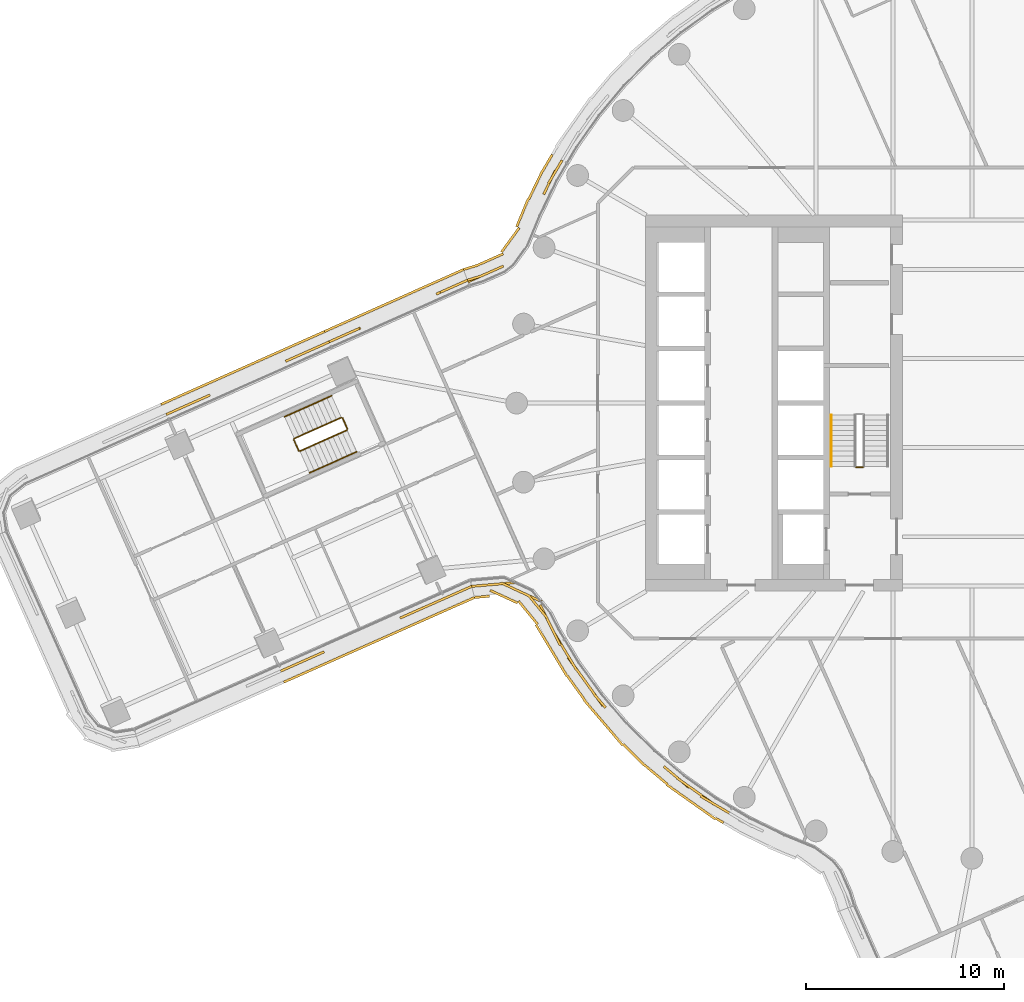
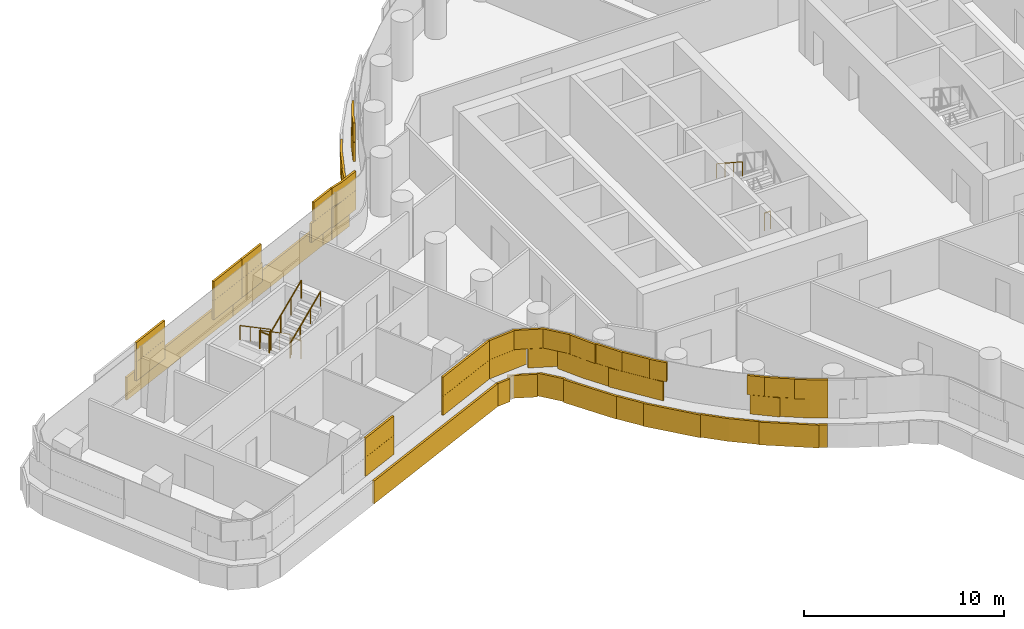
# One storey, part 30 of 35: 8 railings, 5 coverings.
"""IFC4 building model written with IfcOpenShell, lengths in metres."""

from ifc_helpers import new_model, si_unit, direction, frame, origin, origin_2d, place, context, subcontext, project, spatial, rectangle, circle, extrude, material, layer, layer_set, type_object, element, save


model = new_model("IFC4")

# Units and contexts
model_context = context("Model", 3, precision=1e-05, world=origin(), true_north=direction((0.0, 1.0)))
body_context = subcontext(model_context, "Body", "Model", "MODEL_VIEW")
ifc_project = project(units=[si_unit("LENGTHUNIT", "METRE"), si_unit("AREAUNIT", "SQUARE_METRE"), si_unit("VOLUMEUNIT", "CUBIC_METRE"), si_unit("PLANEANGLEUNIT", "RADIAN"), si_unit("MASSUNIT", "GRAM", prefix="KILO")], contexts=[model_context])

# Site, building, storey
site_placement = place(None, origin())
site = spatial("IfcSite", under=ifc_project, at=site_placement, CompositionType="ELEMENT")
building_placement = place(site_placement, origin())
building = spatial("IfcBuilding", under=site, at=building_placement, Name="Tamarind Cross Interchange Tower", CompositionType="ELEMENT")
storey_placement = place(building_placement, frame((0.0, 0.0, 121.0)))
storey = spatial("IfcBuildingStorey", under=building, at=storey_placement, Name="L29", CompositionType="ELEMENT", Elevation=121.0)

# Railings
ifc_material_1 = material(Name="Stair guard")
railing_type_1 = type_object("IfcRailingType", Name="Stair guard", PredefinedType="GUARDRAIL", material=ifc_material_1)
railing_1_placement = place(storey_placement, frame((-5.5, -3.25, 0.0)))
element("IfcRailing", 1, at=railing_1_placement, inside=storey, type_object=railing_type_1, Name="L29 ST1 stair guard 4", PredefinedType="GUARDRAIL", context=body_context, shape_type="SweptSolid", body=[
    extrude(circle(Radius=0.02392578125, at=origin_2d()), frame((0.0, 0.0, 1.076171875), z_axis=(-1.0, 0.0, 0.0), x_axis=(0.0, -1.0, 0.0)), (0.0, 0.0, 1.0), 0.35009765625),
    extrude(circle(Radius=0.02099609375, at=origin_2d()), origin(), (0.0, 0.0, 1.0), 1.052001953125),
    extrude(circle(Radius=0.02099609375, at=origin_2d()), frame((-0.35009765625, 0.0, 0.0)), (0.0, 0.0, 1.0), 1.052001953125),
])
railing_2_placement = place(storey_placement, frame((-31.858154296875, -0.7275390625, 0.17041015625)))
element("IfcRailing", 2, at=railing_2_placement, inside=storey, type_object=railing_type_1, Name="L29 ST5 stair guard 1", PredefinedType="GUARDRAIL", context=body_context, shape_type="SweptSolid", body=[
    extrude(circle(Radius=0.02392578125, at=origin_2d()), frame((0.0, 0.0, 1.076171875), z_axis=(-0.763818924751, -0.340565711591, 0.548266036045), x_axis=(0.407227178264, -0.913326899463, 0.0)), (0.0, 0.0, 1.0), 3.109130859375),
    extrude(circle(Radius=0.02099609375, at=origin_2d()), origin(), (0.0, 0.0, 1.0), 1.052001953125),
    extrude(circle(Radius=0.02099609375, at=origin_2d()), frame((-0.79150390625, -0.35302734375, 0.568115234375)), (0.0, 0.0, 1.0), 1.052001953125),
    extrude(circle(Radius=0.02099609375, at=origin_2d()), frame((-1.583251953125, -0.705810546875, 1.136474609375)), (0.0, 0.0, 1.0), 1.052001953125),
    extrude(circle(Radius=0.02099609375, at=origin_2d()), frame((-2.374755859375, -1.058837890625, 1.70458984375)), (0.0, 0.0, 1.0), 1.052001953125),
])
railing_3_placement = place(storey_placement, frame((-34.258056640625, -1.852294921875, 1.875)))
element("IfcRailing", 3, at=railing_3_placement, inside=storey, type_object=railing_type_1, Name="L29 ST5 stair guard 2", PredefinedType="GUARDRAIL", context=body_context, shape_type="SweptSolid", body=[
    extrude(circle(Radius=0.02392578125, at=origin_2d()), frame((0.0, 0.0, 1.076171875), z_axis=(0.407232830193, -0.913324379404, 0.0), x_axis=(0.913324379404, 0.407232830193, 0.0)), (0.0, 0.0, 1.0), 0.60009765625),
    extrude(circle(Radius=0.02099609375, at=origin_2d()), origin(), (0.0, 0.0, 1.0), 1.052001953125),
    extrude(circle(Radius=0.02099609375, at=origin_2d()), frame((0.244384765625, -0.548095703125, 0.0)), (0.0, 0.0, 1.0), 1.052001953125),
])
railing_4_placement = place(storey_placement, frame((-33.94775390625, -2.425537109375, 2.04541015625)))
element("IfcRailing", 4, at=railing_4_placement, inside=storey, type_object=railing_type_1, Name="L29 ST5 stair guard 3", PredefinedType="GUARDRAIL", context=body_context, shape_type="SweptSolid", body=[
    extrude(circle(Radius=0.02392578125, at=origin_2d()), frame((0.0, 0.0, 1.076171875), z_axis=(0.763839350133, 0.340496290961, 0.548280697299), x_axis=(-0.407148848875, 0.913361820343, 0.0)), (0.0, 0.0, 1.0), 3.10888671875),
    extrude(circle(Radius=0.02099609375, at=origin_2d()), origin(), (0.0, 0.0, 1.0), 1.052001953125),
    extrude(circle(Radius=0.02099609375, at=origin_2d()), frame((0.79150390625, 0.352783203125, 0.568115234375)), (0.0, 0.0, 1.0), 1.052001953125),
    extrude(circle(Radius=0.02099609375, at=origin_2d()), frame((1.583251953125, 0.705810546875, 1.136474609375)), (0.0, 0.0, 1.0), 1.052001953125),
    extrude(circle(Radius=0.02099609375, at=origin_2d()), frame((2.374755859375, 1.05859375, 1.70458984375)), (0.0, 0.0, 1.0), 1.052001953125),
])
railing_5_placement = place(storey_placement, frame((-31.792236328125, -0.7529296875, 0.0)))
element("IfcRailing", 5, at=railing_5_placement, inside=storey, type_object=railing_type_1, Name="L29 ST5 stair guard 4", PredefinedType="GUARDRAIL", context=body_context, shape_type="SweptSolid", body=[
    extrude(circle(Radius=0.02392578125, at=origin_2d()), frame((0.0, 0.0, 1.076171875), z_axis=(0.407384193945, -0.913256874337, 0.0), x_axis=(0.913256874337, 0.407384193945, 0.0)), (0.0, 0.0, 1.0), 0.599853515625),
    extrude(circle(Radius=0.02099609375, at=origin_2d()), origin(), (0.0, 0.0, 1.0), 1.052001953125),
    extrude(circle(Radius=0.02099609375, at=origin_2d()), frame((0.244384765625, -0.5478515625, 0.0)), (0.0, 0.0, 1.0), 1.052001953125),
])
ifc_material_2 = material(Name="Stair handrail")
railing_type_2 = type_object("IfcRailingType", Name="Stair handrail", PredefinedType="HANDRAIL", material=ifc_material_2)
railing_6_placement = place(storey_placement, frame((-7.10009765625, -0.60009765625, 2.04541015625)))
element("IfcRailing", 6, at=railing_6_placement, inside=storey, type_object=railing_type_2, Name="L29 ST1 stair handrail 2", PredefinedType="HANDRAIL", context=body_context, shape_type="SweptSolid", body=[
    extrude(circle(Radius=0.02392578125, at=origin_2d()), frame((0.0, 0.0, 0.8759765625), z_axis=(0.0, -0.836278606002, 0.548304744775), x_axis=(1.0, 0.0, 0.0)), (0.0, 0.0, 1.0), 3.10888671875),
    extrude(circle(Radius=0.02099609375, at=origin_2d()), origin(), (0.0, 0.0, 1.0), 0.851806640625),
    extrude(circle(Radius=0.02099609375, at=origin_2d()), frame((0.0, -0.86669921875, 0.568115234375)), (0.0, 0.0, 1.0), 0.851806640625),
    extrude(circle(Radius=0.02099609375, at=origin_2d()), frame((0.0, -1.733154296875, 1.136474609375)), (0.0, 0.0, 1.0), 0.851806640625),
    extrude(circle(Radius=0.02099609375, at=origin_2d()), frame((0.0, -2.599853515625, 1.70458984375)), (0.0, 0.0, 1.0), 0.851806640625),
])
railing_7_placement = place(storey_placement, frame((-32.346923828125, 0.368408203125, 0.17041015625)))
element("IfcRailing", 7, at=railing_7_placement, inside=storey, type_object=railing_type_2, Name="L29 ST5 stair handrail 1", PredefinedType="HANDRAIL", context=body_context, shape_type="SweptSolid", body=[
    extrude(circle(Radius=0.02392578125, at=origin_2d()), frame((0.0, 0.0, 0.8759765625), z_axis=(-0.763806636502, -0.340516715594, 0.548313585858), x_axis=(0.407183770428, -0.913346252579, 0.0)), (0.0, 0.0, 1.0), 3.10888671875),
    extrude(circle(Radius=0.02099609375, at=origin_2d()), origin(), (0.0, 0.0, 1.0), 0.851806640625),
    extrude(circle(Radius=0.02099609375, at=origin_2d()), frame((-0.79150390625, -0.352783203125, 0.568115234375)), (0.0, 0.0, 1.0), 0.851806640625),
    extrude(circle(Radius=0.02099609375, at=origin_2d()), frame((-1.5830078125, -0.705810546875, 1.136474609375)), (0.0, 0.0, 1.0), 0.851806640625),
    extrude(circle(Radius=0.02099609375, at=origin_2d()), frame((-2.37451171875, -1.05859375, 1.70458984375)), (0.0, 0.0, 1.0), 0.851806640625),
])
railing_8_placement = place(storey_placement, frame((-33.458984375, -3.521484375, 2.04541015625)))
element("IfcRailing", 8, at=railing_8_placement, inside=storey, type_object=railing_type_2, Name="L29 ST5 stair handrail 2", PredefinedType="HANDRAIL", context=body_context, shape_type="SweptSolid", body=[
    extrude(circle(Radius=0.02392578125, at=origin_2d()), frame((0.0, 0.0, 0.8759765625), z_axis=(0.763806636502, 0.340516715594, 0.548313585858), x_axis=(-0.407183770428, 0.913346252579, 0.0)), (0.0, 0.0, 1.0), 3.10888671875),
    extrude(circle(Radius=0.02099609375, at=origin_2d()), origin(), (0.0, 0.0, 1.0), 0.851806640625),
    extrude(circle(Radius=0.02099609375, at=origin_2d()), frame((0.79150390625, 0.352783203125, 0.568115234375)), (0.0, 0.0, 1.0), 0.851806640625),
    extrude(circle(Radius=0.02099609375, at=origin_2d()), frame((1.5830078125, 0.705810546875, 1.136474609375)), (0.0, 0.0, 1.0), 0.851806640625),
    extrude(circle(Radius=0.02099609375, at=origin_2d()), frame((2.37451171875, 1.05859375, 1.70458984375)), (0.0, 0.0, 1.0), 0.851806640625),
])

# Coverings
ifc_material_3 = material(Name="Terracotta", Category="masonry")
ifc_layer = layer(ifc_material_3, 0.1201171875)
ifc_layer_set = layer_set([ifc_layer], Name="Terracotta")
covering_type = type_object("IfcCoveringType", Name="Terracotta baguette screen unit", PredefinedType="MOLDING", material=ifc_layer_set)
covering_1_placement = place(storey_placement, origin())
element("IfcCovering", 9, at=covering_1_placement, inside=storey, type_object=covering_type, Name="SCR-L29-01-01", PredefinedType="MOLDING", context=body_context, shape_type="SweptSolid", body=[
    extrude(rectangle(XDim=0.27001953125, YDim=0.1201171875, at=origin_2d()), frame((-34.801025390625, -13.48583984375, 1.404052734375), z_axis=(0.0, 0.0, 1.0), x_axis=(0.914040185221, 0.40562364305, 0.0)), (0.0, 0.0, 1.0), 1.1669921875),
    extrude(rectangle(XDim=1.52001953125, YDim=0.1201171875, at=origin_2d()), frame((-33.996826171875, -13.12890625, 1.404052734375), z_axis=(0.0, 0.0, 1.0), x_axis=(0.914040185221, 0.40562364305, 0.0)), (0.0, 0.0, 1.0), 1.1669921875),
    extrude(rectangle(XDim=0.649169921875, YDim=0.1201171875, at=origin_2d()), frame((-33.01904296875, -12.695068359375, 1.404052734375), z_axis=(0.0, 0.0, 1.0), x_axis=(0.914040185221, 0.40562364305, 0.0)), (0.0, 0.0, 1.0), 1.1669921875),
    extrude(rectangle(XDim=1.170654296875, YDim=0.1201171875, at=origin_2d()), frame((-28.357421875, -10.62646484375, 1.404052734375), z_axis=(0.0, 0.0, 1.0), x_axis=(0.914040185221, 0.40562364305, 0.0)), (0.0, 0.0, 1.0), 1.1669921875),
    extrude(rectangle(XDim=1.52001953125, YDim=0.1201171875, at=origin_2d()), frame((-27.1416015625, -10.086669921875, 1.404052734375), z_axis=(0.0, 0.0, 1.0), x_axis=(0.914040185221, 0.40562364305, 0.0)), (0.0, 0.0, 1.0), 1.1669921875),
    extrude(rectangle(XDim=1.305908203125, YDim=0.1201171875, at=origin_2d()), frame((-25.86376953125, -9.519775390625, 1.404052734375), z_axis=(0.0, 0.0, 1.0), x_axis=(0.914040185221, 0.40562364305, 0.0)), (0.0, 0.0, 1.0), 1.1669921875),
    extrude(rectangle(XDim=1.02001953125, YDim=0.1201171875, at=origin_2d()), frame((-34.458251953125, -13.333740234375, 2.5791015625), z_axis=(0.0, 0.0, 1.0), x_axis=(0.914040185221, 0.40562364305, 0.0)), (0.0, 0.0, 1.0), 1.1669921875),
    extrude(rectangle(XDim=1.399169921875, YDim=0.1201171875, at=origin_2d()), frame((-33.36181640625, -12.84716796875, 2.5791015625), z_axis=(0.0, 0.0, 1.0), x_axis=(0.914040185221, 0.40562364305, 0.0)), (0.0, 0.0, 1.0), 1.1669921875),
    extrude(rectangle(XDim=0.420654296875, YDim=0.1201171875, at=origin_2d()), frame((-28.7001953125, -10.778564453125, 2.5791015625), z_axis=(0.0, 0.0, 1.0), x_axis=(0.914040185221, 0.40562364305, 0.0)), (0.0, 0.0, 1.0), 1.1669921875),
    extrude(rectangle(XDim=1.52001953125, YDim=0.1201171875, at=origin_2d()), frame((-27.8271484375, -10.39111328125, 2.5791015625), z_axis=(0.0, 0.0, 1.0), x_axis=(0.914040185221, 0.40562364305, 0.0)), (0.0, 0.0, 1.0), 1.1669921875),
    extrude(rectangle(XDim=1.52001953125, YDim=0.1201171875, at=origin_2d()), frame((-26.4560546875, -9.782470703125, 2.5791015625), z_axis=(0.0, 0.0, 1.0), x_axis=(0.914040185221, 0.40562364305, 0.0)), (0.0, 0.0, 1.0), 1.1669921875),
    extrude(rectangle(XDim=0.555908203125, YDim=0.1201171875, at=origin_2d()), frame((-25.52099609375, -9.36767578125, 2.5791015625), z_axis=(0.0, 0.0, 1.0), x_axis=(0.914040185221, 0.40562364305, 0.0)), (0.0, 0.0, 1.0), 1.1669921875),
    extrude(rectangle(XDim=0.279052734375, YDim=0.1201171875, at=origin_2d()), frame((-34.636474609375, -14.040771484375, 0.00390625), z_axis=(0.0, 0.0, 1.0), x_axis=(0.914040185221, 0.40562364305, 0.0)), (0.0, 0.0, 1.0), 1.39208984375),
    extrude(rectangle(XDim=1.52001953125, YDim=0.1201171875, at=origin_2d()), frame((-33.83251953125, -13.68408203125, 0.00390625), z_axis=(0.0, 0.0, 1.0), x_axis=(0.914040185221, 0.40562364305, 0.0)), (0.0, 0.0, 1.0), 1.39208984375),
    extrude(rectangle(XDim=1.52001953125, YDim=0.1201171875, at=origin_2d()), frame((-32.46142578125, -13.07568359375, 0.00390625), z_axis=(0.0, 0.0, 1.0), x_axis=(0.914040185221, 0.40562364305, 0.0)), (0.0, 0.0, 1.0), 1.39208984375),
    extrude(rectangle(XDim=1.52001953125, YDim=0.1201171875, at=origin_2d()), frame((-31.090576171875, -12.46728515625, 0.00390625), z_axis=(0.0, 0.0, 1.0), x_axis=(0.914040185221, 0.40562364305, 0.0)), (0.0, 0.0, 1.0), 1.39208984375),
    extrude(rectangle(XDim=1.52001953125, YDim=0.1201171875, at=origin_2d()), frame((-29.719482421875, -11.85888671875, 0.00390625), z_axis=(0.0, 0.0, 1.0), x_axis=(0.914040185221, 0.40562364305, 0.0)), (0.0, 0.0, 1.0), 1.39208984375),
    extrude(rectangle(XDim=1.52001953125, YDim=0.1201171875, at=origin_2d()), frame((-28.348388671875, -11.250244140625, 0.00390625), z_axis=(0.0, 0.0, 1.0), x_axis=(0.914040185221, 0.40562364305, 0.0)), (0.0, 0.0, 1.0), 1.39208984375),
    extrude(rectangle(XDim=1.52001953125, YDim=0.1201171875, at=origin_2d()), frame((-26.977294921875, -10.641845703125, 0.00390625), z_axis=(0.0, 0.0, 1.0), x_axis=(0.914040185221, 0.40562364305, 0.0)), (0.0, 0.0, 1.0), 1.39208984375),
    extrude(rectangle(XDim=1.28466796875, YDim=0.1201171875, at=origin_2d()), frame((-25.713623046875, -10.0810546875, 0.00390625), z_axis=(0.0, 0.0, 1.0), x_axis=(0.914040185221, 0.40562364305, 0.0)), (0.0, 0.0, 1.0), 1.39208984375),
])
covering_2_placement = place(storey_placement, origin())
element("IfcCovering", 10, at=covering_2_placement, inside=storey, type_object=covering_type, Name="SCR-L29-02-00", PredefinedType="MOLDING", context=body_context, shape_type="SweptSolid", body=[
    extrude(rectangle(XDim=0.760009765625, YDim=0.1201171875, at=origin_2d()), frame((-24.89794921875, -9.224853515625, 1.404052734375), z_axis=(0.0, 0.0, 1.0), x_axis=(0.996337424988, 0.085508687093, 0.0)), (0.0, 0.0, 1.0), 1.1669921875),
    extrude(rectangle(XDim=1.52001953125, YDim=0.1201171875, at=origin_2d()), frame((-23.777099609375, -9.128662109375, 1.404052734375), z_axis=(0.0, 0.0, 1.0), x_axis=(0.996337424988, 0.085508687093, 0.0)), (0.0, 0.0, 1.0), 1.1669921875),
    extrude(rectangle(XDim=1.52001953125, YDim=0.1201171875, at=origin_2d()), frame((-22.408203125, -9.717041015625, 1.404052734375), z_axis=(0.0, 0.0, 1.0), x_axis=(0.907727342736, -0.419560569226, 0.0)), (0.0, 0.0, 1.0), 1.1669921875),
    extrude(rectangle(XDim=1.52001953125, YDim=0.1201171875, at=origin_2d()), frame((-21.470947265625, -10.881103515625, 1.404052734375), z_axis=(0.0, 0.0, 1.0), x_axis=(0.447913566058, -0.894076863218, 0.0)), (0.0, 0.0, 1.0), 1.1669921875),
    extrude(rectangle(XDim=1.52001953125, YDim=0.1201171875, at=origin_2d()), frame((-20.74853515625, -12.1943359375, 1.404052734375), z_axis=(0.0, 0.0, 1.0), x_axis=(0.515577308909, -0.856843065292, 0.0)), (0.0, 0.0, 1.0), 1.1669921875),
    extrude(rectangle(XDim=1.52001953125, YDim=0.1201171875, at=origin_2d()), frame((-19.95751953125, -13.468017578125, 1.404052734375), z_axis=(0.0, 0.0, 1.0), x_axis=(0.584573890505, -0.811340475102, 0.0)), (0.0, 0.0, 1.0), 1.1669921875),
    extrude(rectangle(XDim=1.52001953125, YDim=0.1201171875, at=origin_2d()), frame((-19.080810546875, -14.68505859375, 1.404052734375), z_axis=(0.0, 0.0, 1.0), x_axis=(0.584573890505, -0.811340475102, 0.0)), (0.0, 0.0, 1.0), 1.1669921875),
    extrude(rectangle(XDim=1.52001953125, YDim=0.1201171875, at=origin_2d()), frame((-14.87060546875, -18.937744140625, 1.404052734375), z_axis=(0.0, 0.0, 1.0), x_axis=(0.765858396687, -0.643009266048, 0.0)), (0.0, 0.0, 1.0), 1.1669921875),
    extrude(rectangle(XDim=1.52001953125, YDim=0.1201171875, at=origin_2d()), frame((-13.656494140625, -19.817626953125, 1.404052734375), z_axis=(0.0, 0.0, 1.0), x_axis=(0.816341886298, -0.577568978284, 0.0)), (0.0, 0.0, 1.0), 1.1669921875),
    extrude(rectangle(XDim=0.912353515625, YDim=0.1201171875, at=origin_2d()), frame((-12.6533203125, -20.476318359375, 1.404052734375), z_axis=(0.0, 0.0, 1.0), x_axis=(0.861248933065, -0.508183308752, 0.0)), (0.0, 0.0, 1.0), 1.1669921875),
    extrude(rectangle(XDim=1.510009765625, YDim=0.1201171875, at=origin_2d()), frame((-24.524169921875, -9.19287109375, 2.5791015625), z_axis=(0.0, 0.0, 1.0), x_axis=(0.996337424988, 0.085508687093, 0.0)), (0.0, 0.0, 1.0), 1.1669921875),
    extrude(rectangle(XDim=1.52001953125, YDim=0.1201171875, at=origin_2d()), frame((-23.089111328125, -9.40234375, 2.5791015625), z_axis=(0.0, 0.0, 1.0), x_axis=(0.907727342736, -0.419560569226, 0.0)), (0.0, 0.0, 1.0), 1.1669921875),
    extrude(rectangle(XDim=1.52001953125, YDim=0.1201171875, at=origin_2d()), frame((-21.9248046875, -10.287109375, 2.5791015625), z_axis=(0.0, 0.0, 1.0), x_axis=(0.634386155659, -0.77301630352, 0.0)), (0.0, 0.0, 1.0), 1.1669921875),
    extrude(rectangle(XDim=1.52001953125, YDim=0.1201171875, at=origin_2d()), frame((-21.135009765625, -11.5517578125, 2.5791015625), z_axis=(0.0, 0.0, 1.0), x_axis=(0.447913566058, -0.894076863218, 0.0)), (0.0, 0.0, 1.0), 1.1669921875),
    extrude(rectangle(XDim=1.52001953125, YDim=0.1201171875, at=origin_2d()), frame((-20.36181640625, -12.837158203125, 2.5791015625), z_axis=(0.0, 0.0, 1.0), x_axis=(0.515577308909, -0.856843065292, 0.0)), (0.0, 0.0, 1.0), 1.1669921875),
    extrude(rectangle(XDim=1.52001953125, YDim=0.1201171875, at=origin_2d()), frame((-19.51904296875, -14.076416015625, 2.5791015625), z_axis=(0.0, 0.0, 1.0), x_axis=(0.584573890505, -0.811340475102, 0.0)), (0.0, 0.0, 1.0), 1.1669921875),
    extrude(rectangle(XDim=0.91552734375, YDim=0.1201171875, at=origin_2d()), frame((-18.802001953125, -15.041259765625, 2.5791015625), z_axis=(0.0, 0.0, 1.0), x_axis=(0.64957723968, -0.760295606781, 0.0)), (0.0, 0.0, 1.0), 1.1669921875),
    extrude(rectangle(XDim=0.904541015625, YDim=0.1201171875, at=origin_2d()), frame((-15.213134765625, -18.650146484375, 2.5791015625), z_axis=(0.0, 0.0, 1.0), x_axis=(0.765858396687, -0.643009266048, 0.0)), (0.0, 0.0, 1.0), 1.1669921875),
    extrude(rectangle(XDim=1.52001953125, YDim=0.1201171875, at=origin_2d()), frame((-14.268798828125, -19.38427734375, 2.5791015625), z_axis=(0.0, 0.0, 1.0), x_axis=(0.816341886298, -0.577568978284, 0.0)), (0.0, 0.0, 1.0), 1.1669921875),
    extrude(rectangle(XDim=1.52001953125, YDim=0.1201171875, at=origin_2d()), frame((-13.0419921875, -20.2470703125, 2.5791015625), z_axis=(0.0, 0.0, 1.0), x_axis=(0.861248933065, -0.508183308752, 0.0)), (0.0, 0.0, 1.0), 1.1669921875),
    extrude(rectangle(XDim=0.162353515625, YDim=0.1201171875, at=origin_2d()), frame((-12.330322265625, -20.6669921875, 2.5791015625), z_axis=(0.0, 0.0, 1.0), x_axis=(0.861248933065, -0.508183308752, 0.0)), (0.0, 0.0, 1.0), 1.1669921875),
    extrude(rectangle(XDim=0.760009765625, YDim=0.1201171875, at=origin_2d()), frame((-24.748046875, -9.7880859375, 0.00390625), z_axis=(0.0, 0.0, 1.0), x_axis=(0.996337424988, 0.085508687093, 0.0)), (0.0, 0.0, 1.0), 1.39208984375),
    extrude(rectangle(XDim=1.52001953125, YDim=0.1201171875, at=origin_2d()), frame((-23.64697265625, -9.77685546875, 0.00390625), z_axis=(0.0, 0.0, 1.0), x_axis=(0.907727342736, -0.419560569226, 0.0)), (0.0, 0.0, 1.0), 1.39208984375),
    extrude(rectangle(XDim=1.52001953125, YDim=0.1201171875, at=origin_2d()), frame((-22.42333984375, -10.584716796875, 0.00390625), z_axis=(0.0, 0.0, 1.0), x_axis=(0.634386155659, -0.77301630352, 0.0)), (0.0, 0.0, 1.0), 1.39208984375),
    extrude(rectangle(XDim=1.52001953125, YDim=0.1201171875, at=origin_2d()), frame((-21.628173828125, -11.845947265625, 0.00390625), z_axis=(0.0, 0.0, 1.0), x_axis=(0.515577308909, -0.856843065292, 0.0)), (0.0, 0.0, 1.0), 1.39208984375),
    extrude(rectangle(XDim=1.52001953125, YDim=0.1201171875, at=origin_2d()), frame((-20.854736328125, -13.131103515625, 0.00390625), z_axis=(0.0, 0.0, 1.0), x_axis=(0.515577308909, -0.856843065292, 0.0)), (0.0, 0.0, 1.0), 1.39208984375),
    extrude(rectangle(XDim=1.52001953125, YDim=0.1201171875, at=origin_2d()), frame((-20.013916015625, -14.371826171875, 0.00390625), z_axis=(0.0, 0.0, 1.0), x_axis=(0.584573890505, -0.811340475102, 0.0)), (0.0, 0.0, 1.0), 1.39208984375),
    extrude(rectangle(XDim=1.52001953125, YDim=0.1201171875, at=origin_2d()), frame((-19.1083984375, -15.56640625, 0.00390625), z_axis=(0.0, 0.0, 1.0), x_axis=(0.64957723968, -0.760295606781, 0.0)), (0.0, 0.0, 1.0), 1.39208984375),
    extrude(rectangle(XDim=1.52001953125, YDim=0.1201171875, at=origin_2d()), frame((-18.134033203125, -16.706787109375, 0.00390625), z_axis=(0.0, 0.0, 1.0), x_axis=(0.64957723968, -0.760295606781, 0.0)), (0.0, 0.0, 1.0), 1.39208984375),
    extrude(rectangle(XDim=1.52001953125, YDim=0.1201171875, at=origin_2d()), frame((-17.074462890625, -17.768310546875, 0.00390625), z_axis=(0.0, 0.0, 1.0), x_axis=(0.710143317658, -0.704057148523, 0.0)), (0.0, 0.0, 1.0), 1.39208984375),
    extrude(rectangle(XDim=1.52001953125, YDim=0.1201171875, at=origin_2d()), frame((-15.961181640625, -18.771484375, 0.00390625), z_axis=(0.0, 0.0, 1.0), x_axis=(0.765858396687, -0.643009266048, 0.0)), (0.0, 0.0, 1.0), 1.39208984375),
    extrude(rectangle(XDim=1.52001953125, YDim=0.1201171875, at=origin_2d()), frame((-14.7958984375, -19.714599609375, 0.00390625), z_axis=(0.0, 0.0, 1.0), x_axis=(0.816341886298, -0.577568978284, 0.0)), (0.0, 0.0, 1.0), 1.39208984375),
    extrude(rectangle(XDim=1.52001953125, YDim=0.1201171875, at=origin_2d()), frame((-13.5712890625, -20.5810546875, 0.00390625), z_axis=(0.0, 0.0, 1.0), x_axis=(0.816341886298, -0.577568978284, 0.0)), (0.0, 0.0, 1.0), 1.39208984375),
    extrude(rectangle(XDim=0.448486328125, YDim=0.1201171875, at=origin_2d()), frame((-12.750244140625, -21.085693359375, 0.00390625), z_axis=(0.0, 0.0, 1.0), x_axis=(0.861248933065, -0.508183308752, 0.0)), (0.0, 0.0, 1.0), 1.39208984375),
])
covering_3_placement = place(storey_placement, origin())
element("IfcCovering", 11, at=covering_3_placement, inside=storey, type_object=covering_type, Name="SCR-L29-14-01", PredefinedType="MOLDING", context=body_context, shape_type="SweptSolid", body=[
    extrude(rectangle(XDim=0.607666015625, YDim=0.1201171875, at=origin_2d()), frame((-20.857421875, 12.00732421875, 1.404052734375), z_axis=(0.0, 0.0, 1.0), x_axis=(-0.508183308752, -0.861248933065, 0.0)), (0.0, 0.0, 1.0), 1.1669921875),
    extrude(rectangle(XDim=1.363037109375, YDim=0.1201171875, at=origin_2d()), frame((-21.335693359375, 11.158203125, 1.404052734375), z_axis=(0.0, 0.0, 1.0), x_axis=(-0.435326231914, -0.900272776334, 0.0)), (0.0, 0.0, 1.0), 1.1669921875),
    extrude(rectangle(XDim=0.45703125, YDim=0.1201171875, at=origin_2d()), frame((-23.875, 6.830322265625, 1.404052734375), z_axis=(0.0, 0.0, 1.0), x_axis=(-0.913943603125, -0.405841213169, 0.0)), (0.0, 0.0, 1.0), 1.1669921875),
    extrude(rectangle(XDim=1.52001953125, YDim=0.1201171875, at=origin_2d()), frame((-24.7646484375, 6.43505859375, 1.404052734375), z_axis=(0.0, 0.0, 1.0), x_axis=(-0.913943603125, -0.405841213169, 0.0)), (0.0, 0.0, 1.0), 1.1669921875),
    extrude(rectangle(XDim=1.357666015625, YDim=0.1201171875, at=origin_2d()), frame((-21.048095703125, 11.684326171875, 2.5791015625), z_axis=(0.0, 0.0, 1.0), x_axis=(-0.508183308752, -0.861248933065, 0.0)), (0.0, 0.0, 1.0), 1.1669921875),
    extrude(rectangle(XDim=0.613037109375, YDim=0.1201171875, at=origin_2d()), frame((-21.4990234375, 10.820556640625, 2.5791015625), z_axis=(0.0, 0.0, 1.0), x_axis=(-0.435326231914, -0.900272776334, 0.0)), (0.0, 0.0, 1.0), 1.1669921875),
    extrude(rectangle(XDim=1.20703125, YDim=0.1201171875, at=origin_2d()), frame((-24.2177734375, 6.677978515625, 2.5791015625), z_axis=(0.0, 0.0, 1.0), x_axis=(-0.913943603125, -0.405841213169, 0.0)), (0.0, 0.0, 1.0), 1.1669921875),
    extrude(rectangle(XDim=0.763427734375, YDim=0.1201171875, at=origin_2d()), frame((-25.12353515625, 6.320556640625, 2.5791015625), z_axis=(0.0, 0.0, 1.0), x_axis=(-0.955629008287, -0.294572908666, 0.0)), (0.0, 0.0, 1.0), 1.1669921875),
    extrude(rectangle(XDim=1.071533203125, YDim=0.1201171875, at=origin_2d()), frame((-21.471923828125, 12.095703125, 0.00390625), z_axis=(0.0, 0.0, 1.0), x_axis=(-0.508183308752, -0.861248933065, 0.0)), (0.0, 0.0, 1.0), 1.39208984375),
    extrude(rectangle(XDim=1.52001953125, YDim=0.1201171875, at=origin_2d()), frame((-22.0654296875, 10.9677734375, 0.00390625), z_axis=(0.0, 0.0, 1.0), x_axis=(-0.435326231914, -0.900272776334, 0.0)), (0.0, 0.0, 1.0), 1.39208984375),
    extrude(rectangle(XDim=1.52001953125, YDim=0.1201171875, at=origin_2d()), frame((-22.706787109375, 9.612060546875, 0.00390625), z_axis=(0.0, 0.0, 1.0), x_axis=(-0.382773210642, -0.923842340021, 0.0)), (0.0, 0.0, 1.0), 1.39208984375),
    extrude(rectangle(XDim=1.52001953125, YDim=0.1201171875, at=origin_2d()), frame((-23.315673828125, 8.245849609375, 0.00390625), z_axis=(0.0, 0.0, 1.0), x_axis=(-0.591017439834, -0.806658779046, 0.0)), (0.0, 0.0, 1.0), 1.39208984375),
    extrude(rectangle(XDim=1.52001953125, YDim=0.1201171875, at=origin_2d()), frame((-24.377197265625, 7.2353515625, 0.00390625), z_axis=(0.0, 0.0, 1.0), x_axis=(-0.913943603125, -0.405841213169, 0.0)), (0.0, 0.0, 1.0), 1.39208984375),
    extrude(rectangle(XDim=0.65869140625, YDim=0.1201171875, at=origin_2d()), frame((-25.370849609375, 6.844970703125, 0.00390625), z_axis=(0.0, 0.0, 1.0), x_axis=(-0.955629008287, -0.294572908666, 0.0)), (0.0, 0.0, 1.0), 1.39208984375),
])
covering_4_placement = place(storey_placement, origin())
element("IfcCovering", 12, at=covering_4_placement, inside=storey, type_object=covering_type, Name="SCR-L29-15-00", PredefinedType="MOLDING", context=body_context, shape_type="SweptSolid", body=[
    extrude(rectangle(XDim=0.760009765625, YDim=0.1201171875, at=origin_2d()), frame((-25.825927734375, 6.056884765625, 1.404052734375), z_axis=(0.0, 0.0, 1.0), x_axis=(-0.913329522698, -0.407221294835, 0.0)), (0.0, 0.0, 1.0), 1.1669921875),
    extrude(rectangle(XDim=0.983642578125, YDim=0.1201171875, at=origin_2d()), frame((-26.613037109375, 5.7060546875, 1.404052734375), z_axis=(0.0, 0.0, 1.0), x_axis=(-0.913329522698, -0.407221294835, 0.0)), (0.0, 0.0, 1.0), 1.1669921875),
    extrude(rectangle(XDim=0.83642578125, YDim=0.1201171875, at=origin_2d()), frame((-31.27099609375, 3.629150390625, 1.404052734375), z_axis=(0.0, 0.0, 1.0), x_axis=(-0.913329522698, -0.407221294835, 0.0)), (0.0, 0.0, 1.0), 1.1669921875),
    extrude(rectangle(XDim=0.906982421875, YDim=0.1201171875, at=origin_2d()), frame((-32.05810546875, 3.2783203125, 1.404052734375), z_axis=(0.0, 0.0, 1.0), x_axis=(-0.913329522698, -0.407221294835, 0.0)), (0.0, 0.0, 1.0), 1.1669921875),
    extrude(rectangle(XDim=1.510009765625, YDim=0.1201171875, at=origin_2d()), frame((-26.16845703125, 5.904296875, 2.5791015625), z_axis=(0.0, 0.0, 1.0), x_axis=(-0.913329522698, -0.407221294835, 0.0)), (0.0, 0.0, 1.0), 1.1669921875),
    extrude(rectangle(XDim=1.52001953125, YDim=0.1201171875, at=origin_2d()), frame((-31.6484375, 3.4609375, 2.5791015625), z_axis=(0.0, 0.0, 1.0), x_axis=(-0.913329522698, -0.407221294835, 0.0)), (0.0, 0.0, 1.0), 1.1669921875),
    extrude(rectangle(XDim=0.156982421875, YDim=0.1201171875, at=origin_2d()), frame((-32.400634765625, 3.12548828125, 2.5791015625), z_axis=(0.0, 0.0, 1.0), x_axis=(-0.913329522698, -0.407221294835, 0.0)), (0.0, 0.0, 1.0), 1.1669921875),
    extrude(rectangle(XDim=0.760009765625, YDim=0.1201171875, at=origin_2d()), frame((-26.03271484375, 6.59326171875, 0.00390625), z_axis=(0.0, 0.0, 1.0), x_axis=(-0.913329522698, -0.407221294835, 0.0)), (0.0, 0.0, 1.0), 1.39208984375),
    extrude(rectangle(XDim=1.52001953125, YDim=0.1201171875, at=origin_2d()), frame((-27.0556640625, 6.13720703125, 0.00390625), z_axis=(0.0, 0.0, 1.0), x_axis=(-0.913329522698, -0.407221294835, 0.0)), (0.0, 0.0, 1.0), 1.39208984375),
    extrude(rectangle(XDim=1.52001953125, YDim=0.1201171875, at=origin_2d()), frame((-28.425537109375, 5.5263671875, 0.00390625), z_axis=(0.0, 0.0, 1.0), x_axis=(-0.913329522698, -0.407221294835, 0.0)), (0.0, 0.0, 1.0), 1.39208984375),
    extrude(rectangle(XDim=1.52001953125, YDim=0.1201171875, at=origin_2d()), frame((-29.795654296875, 4.91552734375, 0.00390625), z_axis=(0.0, 0.0, 1.0), x_axis=(-0.913329522698, -0.407221294835, 0.0)), (0.0, 0.0, 1.0), 1.39208984375),
    extrude(rectangle(XDim=1.52001953125, YDim=0.1201171875, at=origin_2d()), frame((-31.16552734375, 4.3046875, 0.00390625), z_axis=(0.0, 0.0, 1.0), x_axis=(-0.913329522698, -0.407221294835, 0.0)), (0.0, 0.0, 1.0), 1.39208984375),
    extrude(rectangle(XDim=0.941162109375, YDim=0.1201171875, at=origin_2d()), frame((-32.271240234375, 3.811767578125, 0.00390625), z_axis=(0.0, 0.0, 1.0), x_axis=(-0.913329522698, -0.407221294835, 0.0)), (0.0, 0.0, 1.0), 1.39208984375),
])
covering_5_placement = place(storey_placement, origin())
element("IfcCovering", 13, at=covering_5_placement, inside=storey, type_object=covering_type, Name="SCR-L29-15-01", PredefinedType="MOLDING", context=body_context, shape_type="SweptSolid", body=[
    extrude(rectangle(XDim=0.613037109375, YDim=0.1201171875, at=origin_2d()), frame((-32.7431640625, 2.972900390625, 1.404052734375), z_axis=(0.0, 0.0, 1.0), x_axis=(-0.913329522698, -0.407221294835, 0.0)), (0.0, 0.0, 1.0), 1.1669921875),
    extrude(rectangle(XDim=1.52001953125, YDim=0.1201171875, at=origin_2d()), frame((-33.703369140625, 2.544677734375, 1.404052734375), z_axis=(0.0, 0.0, 1.0), x_axis=(-0.913329522698, -0.407221294835, 0.0)), (0.0, 0.0, 1.0), 1.1669921875),
    extrude(rectangle(XDim=0.310302734375, YDim=0.1201171875, at=origin_2d()), frame((-34.525634765625, 2.17822265625, 1.404052734375), z_axis=(0.0, 0.0, 1.0), x_axis=(-0.913329522698, -0.407221294835, 0.0)), (0.0, 0.0, 1.0), 1.1669921875),
    extrude(rectangle(XDim=1.509765625, YDim=0.1201171875, at=origin_2d()), frame((-39.18359375, 0.101318359375, 1.404052734375), z_axis=(0.0, 0.0, 1.0), x_axis=(-0.913329522698, -0.407221294835, 0.0)), (0.0, 0.0, 1.0), 1.1669921875),
    extrude(rectangle(XDim=0.913330078125, YDim=0.1201171875, at=origin_2d()), frame((-40.281005859375, -0.387939453125, 1.404052734375), z_axis=(0.0, 0.0, 1.0), x_axis=(-0.913329522698, -0.407221294835, 0.0)), (0.0, 0.0, 1.0), 1.1669921875),
    extrude(rectangle(XDim=1.363037109375, YDim=0.1201171875, at=origin_2d()), frame((-33.085693359375, 2.820068359375, 2.5791015625), z_axis=(0.0, 0.0, 1.0), x_axis=(-0.913329522698, -0.407221294835, 0.0)), (0.0, 0.0, 1.0), 1.1669921875),
    extrude(rectangle(XDim=1.060302734375, YDim=0.1201171875, at=origin_2d()), frame((-34.18310546875, 2.330810546875, 2.5791015625), z_axis=(0.0, 0.0, 1.0), x_axis=(-0.913329522698, -0.407221294835, 0.0)), (0.0, 0.0, 1.0), 1.1669921875),
    extrude(rectangle(XDim=0.759765625, YDim=0.1201171875, at=origin_2d()), frame((-38.841064453125, 0.25390625, 2.5791015625), z_axis=(0.0, 0.0, 1.0), x_axis=(-0.913329522698, -0.407221294835, 0.0)), (0.0, 0.0, 1.0), 1.1669921875),
    extrude(rectangle(XDim=1.52001953125, YDim=0.1201171875, at=origin_2d()), frame((-39.868408203125, -0.2041015625, 2.5791015625), z_axis=(0.0, 0.0, 1.0), x_axis=(-0.913329522698, -0.407221294835, 0.0)), (0.0, 0.0, 1.0), 1.1669921875),
    extrude(rectangle(XDim=0.163330078125, YDim=0.1201171875, at=origin_2d()), frame((-40.62353515625, -0.540771484375, 2.5791015625), z_axis=(0.0, 0.0, 1.0), x_axis=(-0.913329522698, -0.407221294835, 0.0)), (0.0, 0.0, 1.0), 1.1669921875),
    extrude(rectangle(XDim=0.578857421875, YDim=0.1201171875, at=origin_2d()), frame((-32.96533203125, 3.502197265625, 0.00390625), z_axis=(0.0, 0.0, 1.0), x_axis=(-0.913329522698, -0.407221294835, 0.0)), (0.0, 0.0, 1.0), 1.39208984375),
    extrude(rectangle(XDim=1.52001953125, YDim=0.1201171875, at=origin_2d()), frame((-33.905517578125, 3.0830078125, 0.00390625), z_axis=(0.0, 0.0, 1.0), x_axis=(-0.913329522698, -0.407221294835, 0.0)), (0.0, 0.0, 1.0), 1.39208984375),
    extrude(rectangle(XDim=1.52001953125, YDim=0.1201171875, at=origin_2d()), frame((-35.275634765625, 2.47216796875, 0.00390625), z_axis=(0.0, 0.0, 1.0), x_axis=(-0.913329522698, -0.407221294835, 0.0)), (0.0, 0.0, 1.0), 1.39208984375),
    extrude(rectangle(XDim=1.52001953125, YDim=0.1201171875, at=origin_2d()), frame((-36.6455078125, 1.861328125, 0.00390625), z_axis=(0.0, 0.0, 1.0), x_axis=(-0.913329522698, -0.407221294835, 0.0)), (0.0, 0.0, 1.0), 1.39208984375),
    extrude(rectangle(XDim=1.52001953125, YDim=0.1201171875, at=origin_2d()), frame((-38.015625, 1.25048828125, 0.00390625), z_axis=(0.0, 0.0, 1.0), x_axis=(-0.913329522698, -0.407221294835, 0.0)), (0.0, 0.0, 1.0), 1.39208984375),
    extrude(rectangle(XDim=1.52001953125, YDim=0.1201171875, at=origin_2d()), frame((-39.385498046875, 0.6396484375, 0.00390625), z_axis=(0.0, 0.0, 1.0), x_axis=(-0.913329522698, -0.407221294835, 0.0)), (0.0, 0.0, 1.0), 1.39208984375),
    extrude(rectangle(XDim=0.98779296875, YDim=0.1201171875, at=origin_2d()), frame((-40.512451171875, 0.13720703125, 0.00390625), z_axis=(0.0, 0.0, 1.0), x_axis=(-0.913329522698, -0.407221294835, 0.0)), (0.0, 0.0, 1.0), 1.39208984375),
])

save(model, "model.ifc")
